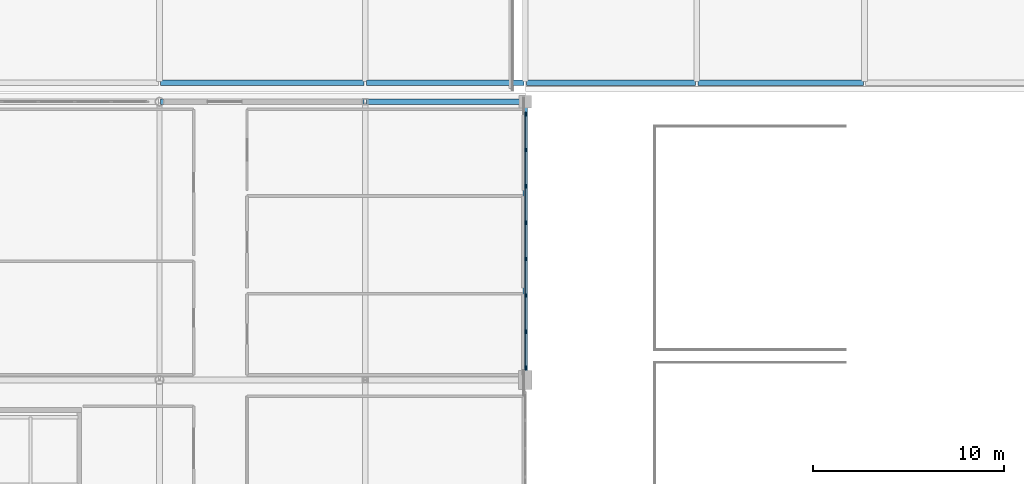
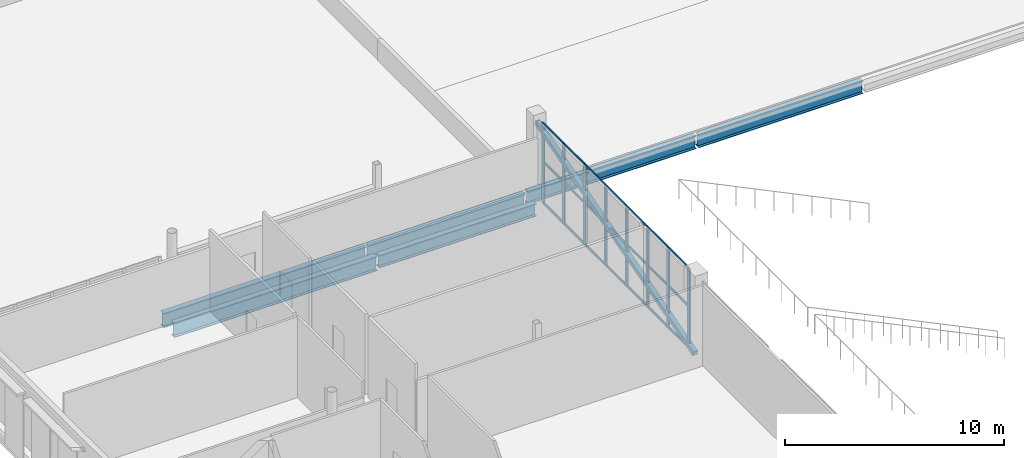
# One storey, part 30 of 104: 30 members, 6 beams, 1 element without a shape of its own.
"""IFC4 building model written with IfcOpenShell, lengths in metres."""

from ifc_helpers import new_model, si_unit, direction, frame, origin, origin_2d, place, context, subcontext, project, spatial, rectangle, hollow_rectangle, i_section, extrude, material, material_profile, profile_set, type_object, element, aggregate, save


model = new_model("IFC4")

# Units and contexts
model_context = context("Model", 3, precision=1e-05, world=origin(), true_north=direction((0.0, 1.0)))
body_context = subcontext(model_context, "Body", "Model", "MODEL_VIEW")
ifc_project = project(units=[si_unit("LENGTHUNIT", "METRE"), si_unit("AREAUNIT", "SQUARE_METRE"), si_unit("VOLUMEUNIT", "CUBIC_METRE"), si_unit("PLANEANGLEUNIT", "RADIAN"), si_unit("MASSUNIT", "GRAM", prefix="KILO")], contexts=[model_context])

# Site, building, storey
site_placement = place(None, origin())
site = spatial("IfcSite", under=ifc_project, at=site_placement, CompositionType="ELEMENT")
building_placement = place(site_placement, origin())
building = spatial("IfcBuilding", under=site, at=building_placement, Name="Koshinbarg Plaza Stadium", CompositionType="ELEMENT")
storey_placement = place(building_placement, frame((0.0, 0.0, 19.800048828125)))
storey = spatial("IfcBuildingStorey", under=building, at=storey_placement, Name="L04", CompositionType="ELEMENT", Elevation=19.800048828125)

# Beams
ifc_material_1 = material(Name="Steel S355", Category="steel")
ifc_material_profile_1 = material_profile(ifc_material_1, i_section(OverallWidth=0.300048828125, OverallDepth=0.699951171875, WebThickness=0.01708984375, FlangeThickness=0.031982421875, at=origin_2d()), Name="HEB 700")
ifc_profile_set_1 = profile_set([ifc_material_profile_1], Name="Steel S355")
beam_type_1 = type_object("IfcBeamType", Name="BM-SGIR-03", PredefinedType="USERDEFINED", material=ifc_profile_set_1)
for number, where, z_axis, x_axis, name in (
    (1, (46.260009765625, 126.5, -0.650146484375), (1.0, 0.0, 0.0), (0.0, 1.0, 0.0), "L04 X girder R/7-8"),
    (2, (46.260009765625, 127.5, -0.7099609375), (1.0, 0.0, 0.0), (0.0, 1.0, 0.0), "L04 X girder S/7-8"),
):
    element("IfcBeam", number, at=place(storey_placement, frame(where, z_axis=z_axis, x_axis=x_axis)), inside=storey, type_object=beam_type_1, Name=name, ObjectType="GIRDER", PredefinedType="USERDEFINED", context=body_context, shape_type="SweptSolid", body=[
        extrude(i_section(OverallWidth=0.300048828125, OverallDepth=0.699951171875, WebThickness=0.01708984375, FlangeThickness=0.031982421875, at=origin_2d()), origin(), (0.0, 0.0, 1.0), 8.280029296875),
    ])
beam_1_placement = place(storey_placement, frame((54.659912109375, 127.5, -0.650146484375), z_axis=(1.0, 0.0, 0.0), x_axis=(0.0, 1.0, 0.0)))
element("IfcBeam", 3, at=beam_1_placement, inside=storey, type_object=beam_type_1, Name="L04 X girder S/8-9", ObjectType="GIRDER", PredefinedType="USERDEFINED", context=body_context, shape_type="SweptSolid", body=[
    extrude(i_section(OverallWidth=0.300048828125, OverallDepth=0.699951171875, WebThickness=0.01708984375, FlangeThickness=0.031982421875, at=origin_2d()), origin(), (0.0, 0.0, 1.0), 8.880126953125),
])
beam_2_placement = place(storey_placement, frame((63.659912109375, 127.5, -0.650146484375), z_axis=(1.0, 0.0, 0.0), x_axis=(0.0, 1.0, 0.0)))
element("IfcBeam", 4, at=beam_2_placement, inside=storey, type_object=beam_type_1, Name="L04 X girder S/9-10", ObjectType="GIRDER", PredefinedType="USERDEFINED", context=body_context, shape_type="SweptSolid", body=[
    extrude(i_section(OverallWidth=0.300048828125, OverallDepth=0.699951171875, WebThickness=0.01708984375, FlangeThickness=0.031982421875, at=origin_2d()), origin(), (0.0, 0.0, 1.0), 8.68017578125),
])
ifc_material_profile_2 = material_profile(ifc_material_1, i_section(OverallWidth=0.300048828125, OverallDepth=0.800048828125, WebThickness=0.017578125, FlangeThickness=0.032958984375, at=origin_2d()), Name="HEB 800")
ifc_profile_set_2 = profile_set([ifc_material_profile_2], Name="Steel S355")
beam_type_2 = type_object("IfcBeamType", Name="BM-SGIR-04", PredefinedType="USERDEFINED", material=ifc_profile_set_2)
for number, where, z_axis, x_axis, name in (
    (5, (35.4599609375, 126.5, -0.699951171875), (1.0, 0.0, 0.0), (0.0, 1.0, 0.0), "L04 X girder R/6-7"),
    (6, (35.4599609375, 127.5, -0.760009765625), (1.0, 0.0, 0.0), (0.0, 1.0, 0.0), "L04 X girder S/6-7"),
):
    element("IfcBeam", number, at=place(storey_placement, frame(where, z_axis=z_axis, x_axis=x_axis)), inside=storey, type_object=beam_type_2, Name=name, ObjectType="GIRDER", PredefinedType="USERDEFINED", context=body_context, shape_type="SweptSolid", body=[
        extrude(i_section(OverallWidth=0.300048828125, OverallDepth=0.800048828125, WebThickness=0.017578125, FlangeThickness=0.032958984375, at=origin_2d()), origin(), (0.0, 0.0, 1.0), 10.679931640625),
    ])

# Curtain wall, members
ifc_material_2 = material(Name="Thermally broken anodised aluminium and low-E double glazing", Category="aluminium")
curtain_wall_type = type_object("IfcCurtainWallType", Name="CW-SYS-16", PredefinedType="NOTDEFINED", material=ifc_material_2)
curtain_wall_placement = place(storey_placement, origin())
curtain_wall = element("IfcCurtainWall", 7, at=curtain_wall_placement, inside=storey, type_object=curtain_wall_type, Name="L04 unitised curtain wall CW-L04-111", PredefinedType="NOTDEFINED")
ifc_material_3 = material(Name="Anodised aluminium mullion", Category="aluminium")
ifc_material_profile_3 = material_profile(ifc_material_3, rectangle(XDim=0.070068359375, YDim=0.199951171875, at=origin_2d()), Name="ALU 70x200")
ifc_profile_set_3 = profile_set([ifc_material_profile_3], Name="Anodised aluminium mullion")
member_type_1 = type_object("IfcMemberType", Name="CW-MUL-04", PredefinedType="MULLION", material=ifc_profile_set_3)
member_1_placement = place(storey_placement, frame((54.60009765625, 125.85009765625, 0.0), z_axis=(0.0, 0.0, 1.0), x_axis=(1.0, 0.0, 0.0)))
member_1 = element("IfcMember", 8, at=member_1_placement, type_object=member_type_1, Name="CW16 mullion 1", PredefinedType="MULLION", context=body_context, shape_type="SweptSolid", body=[
    extrude(rectangle(XDim=0.070068359375, YDim=0.199951171875, at=origin_2d()), origin(), (0.0, 0.0, 1.0), 4.47998046875),
])
member_2_placement = place(storey_placement, frame((54.60009765625, 123.971435546875, 0.0), z_axis=(0.0, 0.0, 1.0), x_axis=(1.0, 0.0, 0.0)))
member_2 = element("IfcMember", 9, at=member_2_placement, type_object=member_type_1, Name="CW16 mullion 2", PredefinedType="MULLION", context=body_context, shape_type="SweptSolid", body=[
    extrude(rectangle(XDim=0.070068359375, YDim=0.199951171875, at=origin_2d()), origin(), (0.0, 0.0, 1.0), 4.47998046875),
])
member_3_placement = place(storey_placement, frame((54.60009765625, 122.062744140625, 0.0), z_axis=(0.0, 0.0, 1.0), x_axis=(1.0, 0.0, 0.0)))
member_3 = element("IfcMember", 10, at=member_3_placement, type_object=member_type_1, Name="CW16 mullion 3", PredefinedType="MULLION", context=body_context, shape_type="SweptSolid", body=[
    extrude(rectangle(XDim=0.070068359375, YDim=0.199951171875, at=origin_2d()), origin(), (0.0, 0.0, 1.0), 4.47998046875),
])
member_4_placement = place(storey_placement, frame((54.60009765625, 120.154296875, 0.0), z_axis=(0.0, 0.0, 1.0), x_axis=(1.0, 0.0, 0.0)))
member_4 = element("IfcMember", 11, at=member_4_placement, type_object=member_type_1, Name="CW16 mullion 4", PredefinedType="MULLION", context=body_context, shape_type="SweptSolid", body=[
    extrude(rectangle(XDim=0.070068359375, YDim=0.199951171875, at=origin_2d()), origin(), (0.0, 0.0, 1.0), 4.47998046875),
])
member_5_placement = place(storey_placement, frame((54.60009765625, 118.24560546875, 0.0), z_axis=(0.0, 0.0, 1.0), x_axis=(1.0, 0.0, 0.0)))
member_5 = element("IfcMember", 12, at=member_5_placement, type_object=member_type_1, Name="CW16 mullion 5", PredefinedType="MULLION", context=body_context, shape_type="SweptSolid", body=[
    extrude(rectangle(XDim=0.070068359375, YDim=0.199951171875, at=origin_2d()), origin(), (0.0, 0.0, 1.0), 4.47998046875),
])
member_6_placement = place(storey_placement, frame((54.60009765625, 116.337158203125, 0.0), z_axis=(0.0, 0.0, 1.0), x_axis=(1.0, 0.0, 0.0)))
member_6 = element("IfcMember", 13, at=member_6_placement, type_object=member_type_1, Name="CW16 mullion 6", PredefinedType="MULLION", context=body_context, shape_type="SweptSolid", body=[
    extrude(rectangle(XDim=0.070068359375, YDim=0.199951171875, at=origin_2d()), origin(), (0.0, 0.0, 1.0), 4.47998046875),
])
member_7_placement = place(storey_placement, frame((54.60009765625, 114.428466796875, 0.0), z_axis=(0.0, 0.0, 1.0), x_axis=(1.0, 0.0, 0.0)))
member_7 = element("IfcMember", 14, at=member_7_placement, type_object=member_type_1, Name="CW16 mullion 7", PredefinedType="MULLION", context=body_context, shape_type="SweptSolid", body=[
    extrude(rectangle(XDim=0.070068359375, YDim=0.199951171875, at=origin_2d()), origin(), (0.0, 0.0, 1.0), 4.47998046875),
])
member_8_placement = place(storey_placement, frame((54.60009765625, 112.550048828125, 0.0), z_axis=(0.0, 0.0, 1.0), x_axis=(1.0, 0.0, 0.0)))
member_8 = element("IfcMember", 15, at=member_8_placement, type_object=member_type_1, Name="CW16 mullion 8", PredefinedType="MULLION", context=body_context, shape_type="SweptSolid", body=[
    extrude(rectangle(XDim=0.070068359375, YDim=0.199951171875, at=origin_2d()), origin(), (0.0, 0.0, 1.0), 4.47998046875),
])
ifc_material_4 = material(Name="Anodised aluminium transom", Category="aluminium")
ifc_material_profile_4 = material_profile(ifc_material_4, rectangle(XDim=0.06005859375, YDim=0.1298828125, at=origin_2d()), Name="ALU 60x130")
ifc_profile_set_4 = profile_set([ifc_material_profile_4], Name="Anodised aluminium transom")
member_type_2 = type_object("IfcMemberType", Name="CW-TRN-02", PredefinedType="USERDEFINED", material=ifc_profile_set_4)
member_9_placement = place(storey_placement, frame((54.60009765625, 125.820068359375, 0.030029296875), z_axis=(0.0, -1.0, 0.0), x_axis=(1.0, 0.0, 0.0)))
member_9 = element("IfcMember", 16, at=member_9_placement, type_object=member_type_2, Name="CW16 transom 1.1", ObjectType="TRANSOM", PredefinedType="USERDEFINED", context=body_context, shape_type="SweptSolid", body=[
    extrude(rectangle(XDim=0.06005859375, YDim=0.1298828125, at=origin_2d()), origin(), (0.0, 0.0, 1.0), 1.818603515625),
])
member_10_placement = place(storey_placement, frame((54.60009765625, 125.820068359375, 2.32958984375), z_axis=(0.0, -1.0, 0.0), x_axis=(1.0, 0.0, 0.0)))
member_10 = element("IfcMember", 17, at=member_10_placement, type_object=member_type_2, Name="CW16 transom 1.2", ObjectType="TRANSOM", PredefinedType="USERDEFINED", context=body_context, shape_type="SweptSolid", body=[
    extrude(rectangle(XDim=0.06005859375, YDim=0.1298828125, at=origin_2d()), origin(), (0.0, 0.0, 1.0), 1.818603515625),
])
member_11_placement = place(storey_placement, frame((54.60009765625, 125.820068359375, 4.449951171875), z_axis=(0.0, -1.0, 0.0), x_axis=(1.0, 0.0, 0.0)))
member_11 = element("IfcMember", 18, at=member_11_placement, type_object=member_type_2, Name="CW16 transom 1.3", ObjectType="TRANSOM", PredefinedType="USERDEFINED", context=body_context, shape_type="SweptSolid", body=[
    extrude(rectangle(XDim=0.06005859375, YDim=0.1298828125, at=origin_2d()), origin(), (0.0, 0.0, 1.0), 1.818603515625),
])
member_12_placement = place(storey_placement, frame((54.60009765625, 123.94140625, 0.030029296875), z_axis=(0.0, -1.0, 0.0), x_axis=(1.0, 0.0, 0.0)))
member_12 = element("IfcMember", 19, at=member_12_placement, type_object=member_type_2, Name="CW16 transom 2.1", ObjectType="TRANSOM", PredefinedType="USERDEFINED", context=body_context, shape_type="SweptSolid", body=[
    extrude(rectangle(XDim=0.06005859375, YDim=0.1298828125, at=origin_2d()), origin(), (0.0, 0.0, 1.0), 1.8486328125),
])
member_13_placement = place(storey_placement, frame((54.60009765625, 123.94140625, 2.32958984375), z_axis=(0.0, -1.0, 0.0), x_axis=(1.0, 0.0, 0.0)))
member_13 = element("IfcMember", 20, at=member_13_placement, type_object=member_type_2, Name="CW16 transom 2.2", ObjectType="TRANSOM", PredefinedType="USERDEFINED", context=body_context, shape_type="SweptSolid", body=[
    extrude(rectangle(XDim=0.06005859375, YDim=0.1298828125, at=origin_2d()), origin(), (0.0, 0.0, 1.0), 1.8486328125),
])
member_14_placement = place(storey_placement, frame((54.60009765625, 123.94140625, 4.449951171875), z_axis=(0.0, -1.0, 0.0), x_axis=(1.0, 0.0, 0.0)))
member_14 = element("IfcMember", 21, at=member_14_placement, type_object=member_type_2, Name="CW16 transom 2.3", ObjectType="TRANSOM", PredefinedType="USERDEFINED", context=body_context, shape_type="SweptSolid", body=[
    extrude(rectangle(XDim=0.06005859375, YDim=0.1298828125, at=origin_2d()), origin(), (0.0, 0.0, 1.0), 1.8486328125),
])
member_15_placement = place(storey_placement, frame((54.60009765625, 122.032958984375, 0.030029296875), z_axis=(0.0, -1.0, 0.0), x_axis=(1.0, 0.0, 0.0)))
member_15 = element("IfcMember", 22, at=member_15_placement, type_object=member_type_2, Name="CW16 transom 3.1", ObjectType="TRANSOM", PredefinedType="USERDEFINED", context=body_context, shape_type="SweptSolid", body=[
    extrude(rectangle(XDim=0.06005859375, YDim=0.1298828125, at=origin_2d()), origin(), (0.0, 0.0, 1.0), 1.8486328125),
])
member_16_placement = place(storey_placement, frame((54.60009765625, 122.032958984375, 2.32958984375), z_axis=(0.0, -1.0, 0.0), x_axis=(1.0, 0.0, 0.0)))
member_16 = element("IfcMember", 23, at=member_16_placement, type_object=member_type_2, Name="CW16 transom 3.2", ObjectType="TRANSOM", PredefinedType="USERDEFINED", context=body_context, shape_type="SweptSolid", body=[
    extrude(rectangle(XDim=0.06005859375, YDim=0.1298828125, at=origin_2d()), origin(), (0.0, 0.0, 1.0), 1.8486328125),
])
member_17_placement = place(storey_placement, frame((54.60009765625, 122.032958984375, 4.449951171875), z_axis=(0.0, -1.0, 0.0), x_axis=(1.0, 0.0, 0.0)))
member_17 = element("IfcMember", 24, at=member_17_placement, type_object=member_type_2, Name="CW16 transom 3.3", ObjectType="TRANSOM", PredefinedType="USERDEFINED", context=body_context, shape_type="SweptSolid", body=[
    extrude(rectangle(XDim=0.06005859375, YDim=0.1298828125, at=origin_2d()), origin(), (0.0, 0.0, 1.0), 1.8486328125),
])
member_18_placement = place(storey_placement, frame((54.60009765625, 120.124267578125, 0.030029296875), z_axis=(0.0, -1.0, 0.0), x_axis=(1.0, 0.0, 0.0)))
member_18 = element("IfcMember", 25, at=member_18_placement, type_object=member_type_2, Name="CW16 transom 4.1", ObjectType="TRANSOM", PredefinedType="USERDEFINED", context=body_context, shape_type="SweptSolid", body=[
    extrude(rectangle(XDim=0.06005859375, YDim=0.1298828125, at=origin_2d()), origin(), (0.0, 0.0, 1.0), 1.8486328125),
])
member_19_placement = place(storey_placement, frame((54.60009765625, 120.124267578125, 2.32958984375), z_axis=(0.0, -1.0, 0.0), x_axis=(1.0, 0.0, 0.0)))
member_19 = element("IfcMember", 26, at=member_19_placement, type_object=member_type_2, Name="CW16 transom 4.2", ObjectType="TRANSOM", PredefinedType="USERDEFINED", context=body_context, shape_type="SweptSolid", body=[
    extrude(rectangle(XDim=0.06005859375, YDim=0.1298828125, at=origin_2d()), origin(), (0.0, 0.0, 1.0), 1.8486328125),
])
member_20_placement = place(storey_placement, frame((54.60009765625, 120.124267578125, 4.449951171875), z_axis=(0.0, -1.0, 0.0), x_axis=(1.0, 0.0, 0.0)))
member_20 = element("IfcMember", 27, at=member_20_placement, type_object=member_type_2, Name="CW16 transom 4.3", ObjectType="TRANSOM", PredefinedType="USERDEFINED", context=body_context, shape_type="SweptSolid", body=[
    extrude(rectangle(XDim=0.06005859375, YDim=0.1298828125, at=origin_2d()), origin(), (0.0, 0.0, 1.0), 1.8486328125),
])
member_21_placement = place(storey_placement, frame((54.60009765625, 118.2158203125, 0.030029296875), z_axis=(0.0, -1.0, 0.0), x_axis=(1.0, 0.0, 0.0)))
member_21 = element("IfcMember", 28, at=member_21_placement, type_object=member_type_2, Name="CW16 transom 5.1", ObjectType="TRANSOM", PredefinedType="USERDEFINED", context=body_context, shape_type="SweptSolid", body=[
    extrude(rectangle(XDim=0.06005859375, YDim=0.1298828125, at=origin_2d()), origin(), (0.0, 0.0, 1.0), 1.8486328125),
])
member_22_placement = place(storey_placement, frame((54.60009765625, 118.2158203125, 2.32958984375), z_axis=(0.0, -1.0, 0.0), x_axis=(1.0, 0.0, 0.0)))
member_22 = element("IfcMember", 29, at=member_22_placement, type_object=member_type_2, Name="CW16 transom 5.2", ObjectType="TRANSOM", PredefinedType="USERDEFINED", context=body_context, shape_type="SweptSolid", body=[
    extrude(rectangle(XDim=0.06005859375, YDim=0.1298828125, at=origin_2d()), origin(), (0.0, 0.0, 1.0), 1.8486328125),
])
member_23_placement = place(storey_placement, frame((54.60009765625, 118.2158203125, 4.449951171875), z_axis=(0.0, -1.0, 0.0), x_axis=(1.0, 0.0, 0.0)))
member_23 = element("IfcMember", 30, at=member_23_placement, type_object=member_type_2, Name="CW16 transom 5.3", ObjectType="TRANSOM", PredefinedType="USERDEFINED", context=body_context, shape_type="SweptSolid", body=[
    extrude(rectangle(XDim=0.06005859375, YDim=0.1298828125, at=origin_2d()), origin(), (0.0, 0.0, 1.0), 1.8486328125),
])
member_24_placement = place(storey_placement, frame((54.60009765625, 116.30712890625, 0.030029296875), z_axis=(0.0, -1.0, 0.0), x_axis=(1.0, 0.0, 0.0)))
member_24 = element("IfcMember", 31, at=member_24_placement, type_object=member_type_2, Name="CW16 transom 6.1", ObjectType="TRANSOM", PredefinedType="USERDEFINED", context=body_context, shape_type="SweptSolid", body=[
    extrude(rectangle(XDim=0.06005859375, YDim=0.1298828125, at=origin_2d()), origin(), (0.0, 0.0, 1.0), 1.8486328125),
])
member_25_placement = place(storey_placement, frame((54.60009765625, 116.30712890625, 2.32958984375), z_axis=(0.0, -1.0, 0.0), x_axis=(1.0, 0.0, 0.0)))
member_25 = element("IfcMember", 32, at=member_25_placement, type_object=member_type_2, Name="CW16 transom 6.2", ObjectType="TRANSOM", PredefinedType="USERDEFINED", context=body_context, shape_type="SweptSolid", body=[
    extrude(rectangle(XDim=0.06005859375, YDim=0.1298828125, at=origin_2d()), origin(), (0.0, 0.0, 1.0), 1.8486328125),
])
member_26_placement = place(storey_placement, frame((54.60009765625, 116.30712890625, 4.449951171875), z_axis=(0.0, -1.0, 0.0), x_axis=(1.0, 0.0, 0.0)))
member_26 = element("IfcMember", 33, at=member_26_placement, type_object=member_type_2, Name="CW16 transom 6.3", ObjectType="TRANSOM", PredefinedType="USERDEFINED", context=body_context, shape_type="SweptSolid", body=[
    extrude(rectangle(XDim=0.06005859375, YDim=0.1298828125, at=origin_2d()), origin(), (0.0, 0.0, 1.0), 1.8486328125),
])
member_27_placement = place(storey_placement, frame((54.60009765625, 114.398681640625, 0.030029296875), z_axis=(0.0, -1.0, 0.0), x_axis=(1.0, 0.0, 0.0)))
member_27 = element("IfcMember", 34, at=member_27_placement, type_object=member_type_2, Name="CW16 transom 7.1", ObjectType="TRANSOM", PredefinedType="USERDEFINED", context=body_context, shape_type="SweptSolid", body=[
    extrude(rectangle(XDim=0.06005859375, YDim=0.1298828125, at=origin_2d()), origin(), (0.0, 0.0, 1.0), 1.818603515625),
])
member_28_placement = place(storey_placement, frame((54.60009765625, 114.398681640625, 2.32958984375), z_axis=(0.0, -1.0, 0.0), x_axis=(1.0, 0.0, 0.0)))
member_28 = element("IfcMember", 35, at=member_28_placement, type_object=member_type_2, Name="CW16 transom 7.2", ObjectType="TRANSOM", PredefinedType="USERDEFINED", context=body_context, shape_type="SweptSolid", body=[
    extrude(rectangle(XDim=0.06005859375, YDim=0.1298828125, at=origin_2d()), origin(), (0.0, 0.0, 1.0), 1.818603515625),
])
member_29_placement = place(storey_placement, frame((54.60009765625, 114.398681640625, 4.449951171875), z_axis=(0.0, -1.0, 0.0), x_axis=(1.0, 0.0, 0.0)))
member_29 = element("IfcMember", 36, at=member_29_placement, type_object=member_type_2, Name="CW16 transom 7.3", ObjectType="TRANSOM", PredefinedType="USERDEFINED", context=body_context, shape_type="SweptSolid", body=[
    extrude(rectangle(XDim=0.06005859375, YDim=0.1298828125, at=origin_2d()), origin(), (0.0, 0.0, 1.0), 1.818603515625),
])
aggregate(curtain_wall, [member_1, member_2, member_3, member_4, member_5, member_6, member_7, member_8, member_9, member_10, member_11, member_12, member_13, member_14, member_15, member_16, member_17, member_18, member_19, member_20, member_21, member_22, member_23, member_24, member_25, member_26, member_27, member_28, member_29])

# Member
ifc_material_profile_5 = material_profile(ifc_material_1, hollow_rectangle(XDim=0.25, YDim=0.25, WallThickness=0.012451171875, at=origin_2d()), Name="SHS 250x250x12.5")
ifc_profile_set_5 = profile_set([ifc_material_profile_5], Name="Steel S355")
member_type_3 = type_object("IfcMemberType", Name="MB-BRACE-05", PredefinedType="BRACE", material=ifc_profile_set_5)
member_30_placement = place(storey_placement, frame((54.60009765625, 111.97998046875, 0.050048828125), z_axis=(0.0, 0.961097239183, 0.27621024028), x_axis=(-1.0, 0.0, 0.0)))
element("IfcMember", 37, at=member_30_placement, inside=storey, type_object=member_type_3, Name="L04 lateral frame brace 18", PredefinedType="BRACE", context=body_context, shape_type="SweptSolid", body=[
    extrude(hollow_rectangle(XDim=0.25, YDim=0.25, WallThickness=0.012451171875, at=origin_2d()), origin(), (0.0, 0.0, 1.0), 15.0244140625),
])

save(model, "model.ifc")
